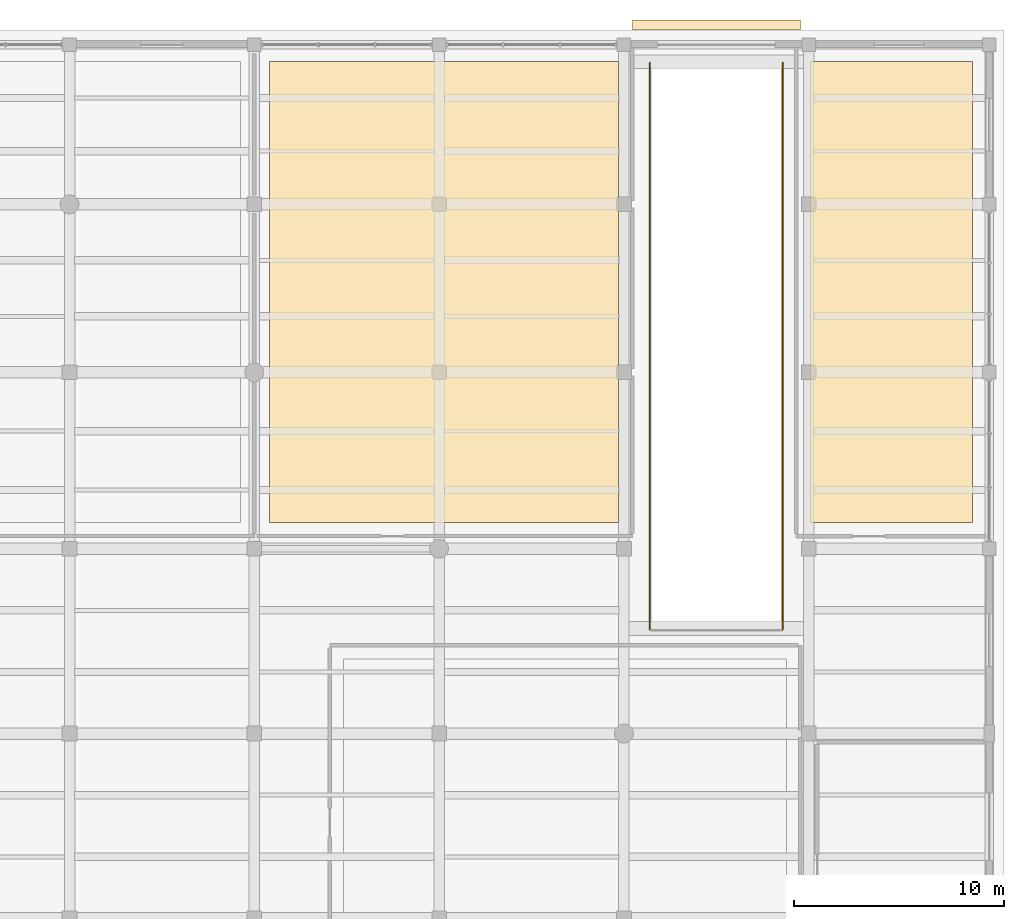
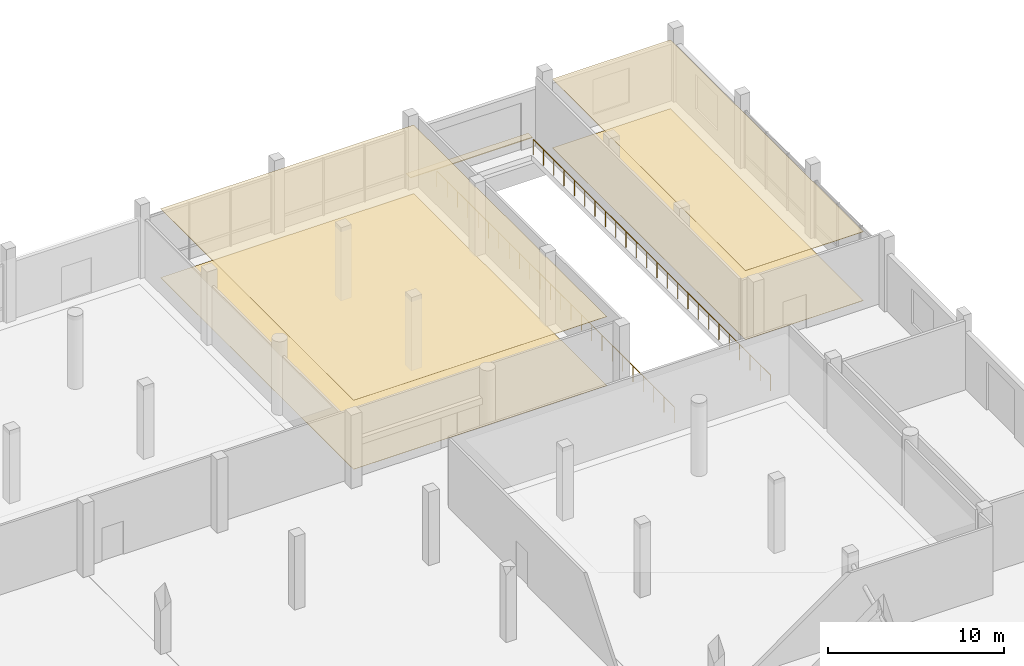
# One storey, part 72 of 73: 5 coverings, 2 railings.
"""IFC4 building model written with IfcOpenShell, lengths in metres."""

from ifc_helpers import new_model, si_unit, direction, frame, origin, origin_2d, place, context, subcontext, project, spatial, polyline, circle, outline, extrude, material, layer, layer_set, type_object, element, save


model = new_model("IFC4")

# Units and contexts
model_context = context("Model", 3, precision=1e-05, world=origin(), true_north=direction((0.0, 1.0)))
body_context = subcontext(model_context, "Body", "Model", "MODEL_VIEW")
ifc_project = project(units=[si_unit("LENGTHUNIT", "METRE"), si_unit("AREAUNIT", "SQUARE_METRE"), si_unit("VOLUMEUNIT", "CUBIC_METRE"), si_unit("PLANEANGLEUNIT", "RADIAN"), si_unit("MASSUNIT", "GRAM", prefix="KILO")], contexts=[model_context])

# Site, building, storey
site_placement = place(None, origin())
site = spatial("IfcSite", under=ifc_project, at=site_placement, CompositionType="ELEMENT")
building_placement = place(site_placement, origin())
building = spatial("IfcBuilding", under=site, at=building_placement, Name="Meriwether Solvik Hall", CompositionType="ELEMENT")
storey_placement = place(building_placement, origin())
storey = spatial("IfcBuildingStorey", under=building, at=storey_placement, Name="L00", CompositionType="ELEMENT", Elevation=0.0)

# Coverings
ifc_material_1 = material(Name="Micro-Perforated Rift White Oak Timber", Category="wood")
ifc_layer_1 = layer(ifc_material_1, 0.02490234375)
ifc_layer_set_1 = layer_set([ifc_layer_1], Name="Micro-Perforated Rift White Oak Timber")
covering_type_1 = type_object("IfcCoveringType", Name="COV-CEIL-AC", PredefinedType="CEILING", material=ifc_layer_set_1)
covering_1_placement = place(storey_placement, frame((0.0, 0.0, 4.77490234375)))
element("IfcCovering", 1, at=covering_1_placement, inside=storey, type_object=covering_type_1, Name="Digital Maker Workshop Acoustic Soffit Ceiling", PredefinedType="CEILING", context=body_context, shape_type="SweptSolid", body=[
    extrude(outline(polyline([(158.25, 116.0), (166.0, 116.0), (166.0, 94.050048828125), (158.25, 94.050048828125), (158.25, 116.0)])), origin(), (0.0, 0.0, 1.0), 0.025146484375),
])
ifc_material_2 = material(Name="Moisture-Resistant Gypsum Board", Category="gypsum")
ifc_layer_2 = layer(ifc_material_2, 0.01806640625)
ifc_layer_set_2 = layer_set([ifc_layer_2], Name="Moisture-Resistant Gypsum Board")
covering_type_2 = type_object("IfcCoveringType", Name="COV-CEIL-GYP", PredefinedType="CEILING", material=ifc_layer_set_2)
covering_2_placement = place(storey_placement, frame((0.0, 0.0, 4.781982421875)))
element("IfcCovering", 2, at=covering_2_placement, inside=storey, type_object=covering_type_2, Name="Teen Tutoring Classroom Acoustic Soffit Ceiling", PredefinedType="CEILING", context=body_context, shape_type="SweptSolid", body=[
    extrude(outline(polyline([(132.530029296875, 94.050048828125), (132.530029296875, 116.0), (149.14990234375, 116.0), (149.14990234375, 94.050048828125), (132.530029296875, 94.050048828125)])), origin(), (0.0, 0.0, 1.0), 0.01806640625),
])
ifc_material_3 = material(Name="Polished Recycled-Aggregate Terrazzo", Category="stone")
ifc_layer_3 = layer(ifc_material_3, 0.02001953125)
ifc_layer_set_3 = layer_set([ifc_layer_3], Name="Polished Recycled-Aggregate Terrazzo")
covering_type_3 = type_object("IfcCoveringType", Name="COV-FLR-TERR", PredefinedType="FLOORING", material=ifc_layer_set_3)
covering_3_placement = place(storey_placement, origin())
element("IfcCovering", 3, at=covering_3_placement, inside=storey, type_object=covering_type_3, Name="Teen Tutoring Classroom Finish Flooring", PredefinedType="FLOORING", context=body_context, shape_type="SweptSolid", body=[
    extrude(outline(polyline([(132.530029296875, 94.050048828125), (132.530029296875, 116.0), (149.14990234375, 116.0), (149.14990234375, 94.050048828125), (132.530029296875, 94.050048828125)])), origin(), (0.0, 0.0, 1.0), 0.02001953125),
])
covering_4_placement = place(storey_placement, origin())
element("IfcCovering", 4, at=covering_4_placement, inside=storey, type_object=covering_type_3, Name="Digital Maker Workshop Finish Flooring", PredefinedType="FLOORING", context=body_context, shape_type="SweptSolid", body=[
    extrude(outline(polyline([(158.25, 116.0), (166.0, 116.0), (166.0, 94.050048828125), (158.25, 94.050048828125), (158.25, 116.0)])), origin(), (0.0, 0.0, 1.0), 0.02001953125),
])
ifc_material_4 = material(Name="Concrete C35/45", Category="concrete")
ifc_layer_4 = layer(ifc_material_4, 0.050048828125)
ifc_layer_set_4 = layer_set([ifc_layer_4], Name="Concrete C35/45")
covering_type_4 = type_object("IfcCoveringType", Name="COV-SITE-PAV", PredefinedType="USERDEFINED", material=ifc_layer_set_4)
covering_5_placement = place(storey_placement, frame((0.0, 0.0, -0.050048828125)))
element("IfcCovering", 5, at=covering_5_placement, inside=storey, type_object=covering_type_4, Name="North Vehicle Ramp Driveway Apron", ObjectType="PAVING", PredefinedType="USERDEFINED", context=body_context, shape_type="SweptSolid", body=[
    extrude(outline(polyline([(149.800048828125, 117.5), (157.800048828125, 117.5), (157.800048828125, 117.97998046875), (149.800048828125, 117.97998046875), (149.800048828125, 117.5)])), origin(), (0.0, 0.0, 1.0), 0.050048828125),
])

# Railings
ifc_material_5 = material(Name="Steel A36 Galvanised", Category="steel")
ifc_layer_5 = layer(ifc_material_5, 0.054931640625)
ifc_layer_set_5 = layer_set([ifc_layer_5], Name="Steel A36 Galvanised")
railing_type = type_object("IfcRailingType", Name="RAIL-STR-GUARD", PredefinedType="GUARDRAIL", material=ifc_layer_set_5)
railing_1_placement = place(storey_placement, frame((150.639892578125, 115.949951171875, 0.0)))
element("IfcRailing", 6, at=railing_1_placement, inside=storey, type_object=railing_type, Name="L00 Basement Car Ramp Guardrail 1", PredefinedType="GUARDRAIL", context=body_context, shape_type="SweptSolid", body=[
    extrude(circle(Radius=0.02392578125, at=origin_2d()), frame((0.0, 0.0, 1.09619140625), z_axis=(0.0, -1.0, 0.0), x_axis=(1.0, 0.0, 0.0)), (0.0, 0.0, 1.0), 26.998046875),
    extrude(circle(Radius=0.02099609375, at=origin_2d()), origin(), (0.0, 0.0, 1.0), 1.072021484375),
    extrude(circle(Radius=0.02099609375, at=origin_2d()), frame((0.0, -1.173828125, 0.0)), (0.0, 0.0, 1.0), 1.072021484375),
    extrude(circle(Radius=0.02099609375, at=origin_2d()), frame((0.0, -2.34765625, 0.0)), (0.0, 0.0, 1.0), 1.072021484375),
    extrude(circle(Radius=0.02099609375, at=origin_2d()), frame((0.0, -3.521484375, 0.0)), (0.0, 0.0, 1.0), 1.072021484375),
    extrude(circle(Radius=0.02099609375, at=origin_2d()), frame((0.0, -4.6953125, 0.0)), (0.0, 0.0, 1.0), 1.072021484375),
    extrude(circle(Radius=0.02099609375, at=origin_2d()), frame((0.0, -5.869140625, 0.0)), (0.0, 0.0, 1.0), 1.072021484375),
    extrude(circle(Radius=0.02099609375, at=origin_2d()), frame((0.0, -7.04296875, 0.0)), (0.0, 0.0, 1.0), 1.072021484375),
    extrude(circle(Radius=0.02099609375, at=origin_2d()), frame((0.0, -8.216796875, 0.0)), (0.0, 0.0, 1.0), 1.072021484375),
    extrude(circle(Radius=0.02099609375, at=origin_2d()), frame((0.0, -9.390625, 0.0)), (0.0, 0.0, 1.0), 1.072021484375),
    extrude(circle(Radius=0.02099609375, at=origin_2d()), frame((0.0, -10.564453125, 0.0)), (0.0, 0.0, 1.0), 1.072021484375),
    extrude(circle(Radius=0.02099609375, at=origin_2d()), frame((0.0, -11.73828125, 0.0)), (0.0, 0.0, 1.0), 1.072021484375),
    extrude(circle(Radius=0.02099609375, at=origin_2d()), frame((0.0, -12.912109375, 0.0)), (0.0, 0.0, 1.0), 1.072021484375),
    extrude(circle(Radius=0.02099609375, at=origin_2d()), frame((0.0, -14.0859375, 0.0)), (0.0, 0.0, 1.0), 1.072021484375),
    extrude(circle(Radius=0.02099609375, at=origin_2d()), frame((0.0, -15.259765625, 0.0)), (0.0, 0.0, 1.0), 1.072021484375),
    extrude(circle(Radius=0.02099609375, at=origin_2d()), frame((0.0, -16.43359375, 0.0)), (0.0, 0.0, 1.0), 1.072021484375),
    extrude(circle(Radius=0.02099609375, at=origin_2d()), frame((0.0, -17.607421875, 0.0)), (0.0, 0.0, 1.0), 1.072021484375),
    extrude(circle(Radius=0.02099609375, at=origin_2d()), frame((0.0, -18.78125, 0.0)), (0.0, 0.0, 1.0), 1.072021484375),
    extrude(circle(Radius=0.02099609375, at=origin_2d()), frame((0.0, -19.955078125, 0.0)), (0.0, 0.0, 1.0), 1.072021484375),
    extrude(circle(Radius=0.02099609375, at=origin_2d()), frame((0.0, -21.12890625, 0.0)), (0.0, 0.0, 1.0), 1.072021484375),
    extrude(circle(Radius=0.02099609375, at=origin_2d()), frame((0.0, -22.302734375, 0.0)), (0.0, 0.0, 1.0), 1.072021484375),
    extrude(circle(Radius=0.02099609375, at=origin_2d()), frame((0.0, -23.4765625, 0.0)), (0.0, 0.0, 1.0), 1.072021484375),
    extrude(circle(Radius=0.02099609375, at=origin_2d()), frame((0.0, -24.650390625, 0.0)), (0.0, 0.0, 1.0), 1.072021484375),
    extrude(circle(Radius=0.02099609375, at=origin_2d()), frame((0.0, -25.82421875, 0.0)), (0.0, 0.0, 1.0), 1.072021484375),
    extrude(circle(Radius=0.02099609375, at=origin_2d()), frame((0.0, -26.998046875, 0.0)), (0.0, 0.0, 1.0), 1.072021484375),
])
railing_2_placement = place(storey_placement, frame((156.9599609375, 88.951904296875, 0.0)))
element("IfcRailing", 7, at=railing_2_placement, inside=storey, type_object=railing_type, Name="L00 Basement Car Ramp Guardrail 3", PredefinedType="GUARDRAIL", context=body_context, shape_type="SweptSolid", body=[
    extrude(circle(Radius=0.02392578125, at=origin_2d()), frame((0.0, 0.0, 1.09619140625), z_axis=(0.0, 1.0, 0.0), x_axis=(-1.0, 0.0, 0.0)), (0.0, 0.0, 1.0), 26.998046875),
    extrude(circle(Radius=0.02099609375, at=origin_2d()), origin(), (0.0, 0.0, 1.0), 1.072021484375),
    extrude(circle(Radius=0.02099609375, at=origin_2d()), frame((0.0, 1.173828125, 0.0)), (0.0, 0.0, 1.0), 1.072021484375),
    extrude(circle(Radius=0.02099609375, at=origin_2d()), frame((0.0, 2.34765625, 0.0)), (0.0, 0.0, 1.0), 1.072021484375),
    extrude(circle(Radius=0.02099609375, at=origin_2d()), frame((0.0, 3.521484375, 0.0)), (0.0, 0.0, 1.0), 1.072021484375),
    extrude(circle(Radius=0.02099609375, at=origin_2d()), frame((0.0, 4.6953125, 0.0)), (0.0, 0.0, 1.0), 1.072021484375),
    extrude(circle(Radius=0.02099609375, at=origin_2d()), frame((0.0, 5.869140625, 0.0)), (0.0, 0.0, 1.0), 1.072021484375),
    extrude(circle(Radius=0.02099609375, at=origin_2d()), frame((0.0, 7.04296875, 0.0)), (0.0, 0.0, 1.0), 1.072021484375),
    extrude(circle(Radius=0.02099609375, at=origin_2d()), frame((0.0, 8.216796875, 0.0)), (0.0, 0.0, 1.0), 1.072021484375),
    extrude(circle(Radius=0.02099609375, at=origin_2d()), frame((0.0, 9.390625, 0.0)), (0.0, 0.0, 1.0), 1.072021484375),
    extrude(circle(Radius=0.02099609375, at=origin_2d()), frame((0.0, 10.564453125, 0.0)), (0.0, 0.0, 1.0), 1.072021484375),
    extrude(circle(Radius=0.02099609375, at=origin_2d()), frame((0.0, 11.73828125, 0.0)), (0.0, 0.0, 1.0), 1.072021484375),
    extrude(circle(Radius=0.02099609375, at=origin_2d()), frame((0.0, 12.912109375, 0.0)), (0.0, 0.0, 1.0), 1.072021484375),
    extrude(circle(Radius=0.02099609375, at=origin_2d()), frame((0.0, 14.0859375, 0.0)), (0.0, 0.0, 1.0), 1.072021484375),
    extrude(circle(Radius=0.02099609375, at=origin_2d()), frame((0.0, 15.259765625, 0.0)), (0.0, 0.0, 1.0), 1.072021484375),
    extrude(circle(Radius=0.02099609375, at=origin_2d()), frame((0.0, 16.43359375, 0.0)), (0.0, 0.0, 1.0), 1.072021484375),
    extrude(circle(Radius=0.02099609375, at=origin_2d()), frame((0.0, 17.607421875, 0.0)), (0.0, 0.0, 1.0), 1.072021484375),
    extrude(circle(Radius=0.02099609375, at=origin_2d()), frame((0.0, 18.78125, 0.0)), (0.0, 0.0, 1.0), 1.072021484375),
    extrude(circle(Radius=0.02099609375, at=origin_2d()), frame((0.0, 19.955078125, 0.0)), (0.0, 0.0, 1.0), 1.072021484375),
    extrude(circle(Radius=0.02099609375, at=origin_2d()), frame((0.0, 21.12890625, 0.0)), (0.0, 0.0, 1.0), 1.072021484375),
    extrude(circle(Radius=0.02099609375, at=origin_2d()), frame((0.0, 22.302734375, 0.0)), (0.0, 0.0, 1.0), 1.072021484375),
    extrude(circle(Radius=0.02099609375, at=origin_2d()), frame((0.0, 23.4765625, 0.0)), (0.0, 0.0, 1.0), 1.072021484375),
    extrude(circle(Radius=0.02099609375, at=origin_2d()), frame((0.0, 24.650390625, 0.0)), (0.0, 0.0, 1.0), 1.072021484375),
    extrude(circle(Radius=0.02099609375, at=origin_2d()), frame((0.0, 25.82421875, 0.0)), (0.0, 0.0, 1.0), 1.072021484375),
    extrude(circle(Radius=0.02099609375, at=origin_2d()), frame((0.0, 26.998046875, 0.0)), (0.0, 0.0, 1.0), 1.072021484375),
])

save(model, "model.ifc")
